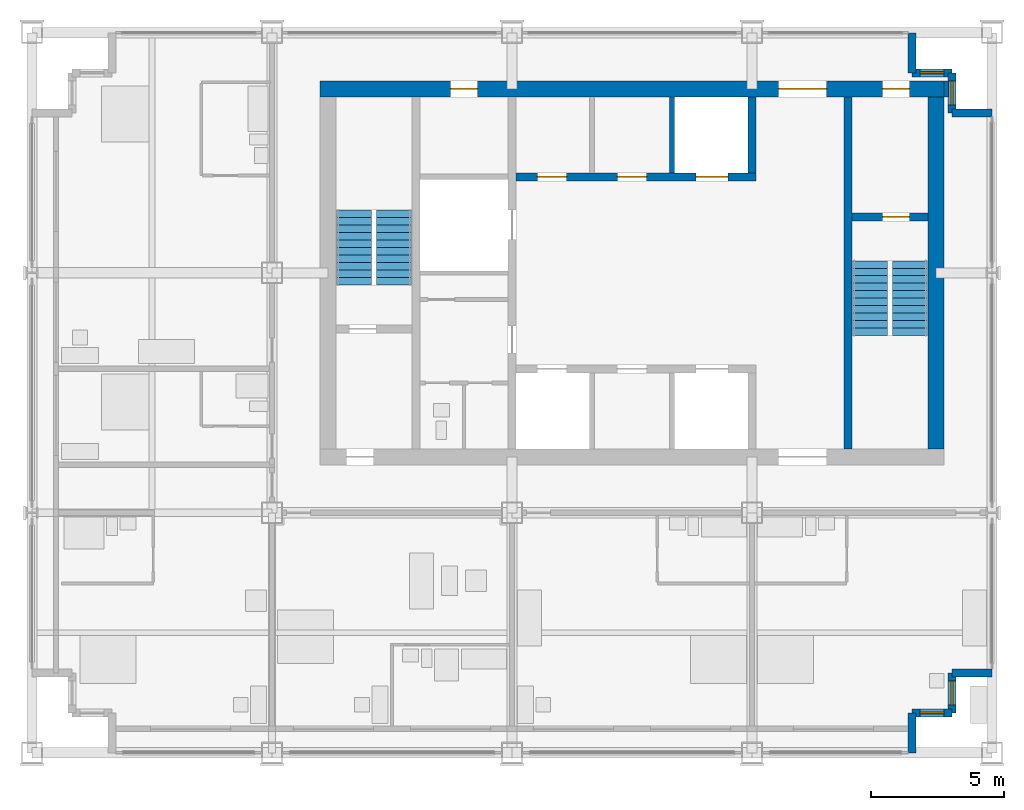
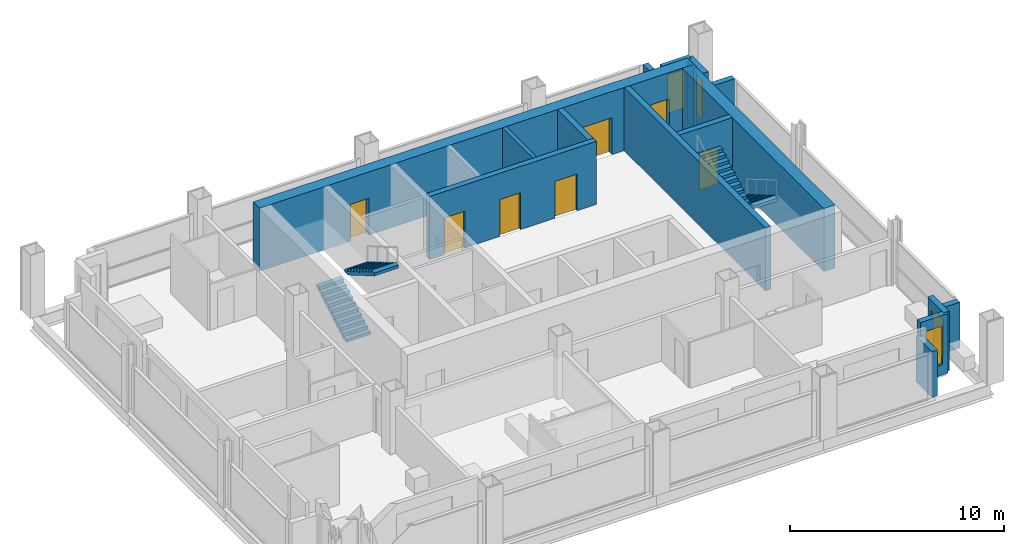
# One storey, part 8 of 11: 16 walls, 7 doors, 4 stair flights, 4 windows, 11 openings, 2 elements without a shape of their own.
"""IFC4 building model written with IfcOpenShell, lengths in metres."""

from ifc_helpers import new_model, si_unit, direction, frame, frame_2d, origin, place, context, subcontext, project, spatial, polyline, rectangle, outline, extrude, material, layer, layer_set, type_object, element, fill, aggregate, save


model = new_model("IFC4")

# Units and contexts
model_context = context("Model", 3, precision=1e-05, world=origin(), true_north=direction((0.0, 1.0)))
body_context = subcontext(model_context, "Body", "Model", "MODEL_VIEW")
ifc_project = project(units=[si_unit("LENGTHUNIT", "METRE"), si_unit("AREAUNIT", "SQUARE_METRE"), si_unit("VOLUMEUNIT", "CUBIC_METRE"), si_unit("PLANEANGLEUNIT", "RADIAN"), si_unit("MASSUNIT", "GRAM", prefix="KILO")], contexts=[model_context])

# Site, building, storey
site_placement = place(None, origin())
site = spatial("IfcSite", under=ifc_project, at=site_placement, CompositionType="ELEMENT")
building_placement = place(site_placement, origin())
building = spatial("IfcBuilding", under=site, at=building_placement, Name="Loomwork Tower", CompositionType="ELEMENT")
storey_placement = place(building_placement, frame((0.0, 0.0, 244.60009765625)))
storey = spatial("IfcBuildingStorey", under=building, at=storey_placement, Name="L67", CompositionType="ELEMENT", Elevation=244.60009765625)

# Wall, openings, doors
ifc_material_1 = material(Name="Concrete 14000 psi (97 MPa)", Category="concrete")
ifc_layer_1 = layer(ifc_material_1, 0.300048828125)
ifc_layer_set_1 = layer_set([ifc_layer_1], Name="Core shear wall 300")
wall_type_1 = type_object("IfcWallType", Name="Core shear wall 300", PredefinedType="SHEAR", material=ifc_layer_set_1)
wall_1_placement = place(storey_placement, frame((18.14990234375, 21.60009765625, 0.0), z_axis=(0.0, 0.0, 1.0), x_axis=(1.0, 0.0, 0.0)))
wall_1 = element("IfcWall", 1, at=wall_1_placement, inside=storey, type_object=wall_type_1, Name="Lift front wall north L67", PredefinedType="SHEAR", context=body_context, shape_type="SweptSolid", body=[
    extrude(rectangle(XDim=9.0, YDim=0.300048828125, at=frame_2d((4.5, 0.0))), origin(), (0.0, 0.0, 1.0), 3.599853515625),
])
opening_1_placement = place(wall_1_placement, frame((6.75, 0.0, 0.0)))
opening_1 = element("IfcOpeningElement", 2, at=opening_1_placement, cuts=wall_1, Name="Opening LD2", PredefinedType="OPENING", context=body_context, shape_type="SweptSolid", body=[
    extrude(rectangle(XDim=1.199951171875, YDim=2.10009765625, at=frame_2d((0.60009765625, 1.050048828125))), frame((0.0, 0.159912109375, 0.0), z_axis=(0.0, -1.0, 0.0), x_axis=(1.0, 0.0, 0.0)), (0.0, 0.0, 1.0), 0.320068359375),
])
opening_2_placement = place(wall_1_placement, frame((0.800048828125, 0.0, 0.0)))
opening_2 = element("IfcOpeningElement", 3, at=opening_2_placement, cuts=wall_1, Name="Opening D17", PredefinedType="OPENING", context=body_context, shape_type="SweptSolid", body=[
    extrude(rectangle(XDim=1.10009765625, YDim=2.10009765625, at=frame_2d((0.550048828125, 1.050048828125))), frame((0.0, 0.159912109375, 0.0), z_axis=(0.0, -1.0, 0.0), x_axis=(1.0, 0.0, 0.0)), (0.0, 0.0, 1.0), 0.320068359375),
])
opening_3_placement = place(wall_1_placement, frame((3.800048828125, 0.0, 0.0)))
opening_3 = element("IfcOpeningElement", 4, at=opening_3_placement, cuts=wall_1, Name="Opening D17", PredefinedType="OPENING", context=body_context, shape_type="SweptSolid", body=[
    extrude(rectangle(XDim=1.10009765625, YDim=2.10009765625, at=frame_2d((0.550048828125, 1.050048828125))), frame((0.0, 0.159912109375, 0.0), z_axis=(0.0, -1.0, 0.0), x_axis=(1.0, 0.0, 0.0)), (0.0, 0.0, 1.0), 0.320068359375),
])
ifc_material_2 = material(Name="Hollow metal door and frame")
door_type_1 = type_object("IfcDoorType", Name="Lift landing door 1200", OperationType="SLIDING_TO_LEFT", PredefinedType="DOOR", material=ifc_material_2)
door_1_placement = place(opening_1_placement, origin())
door_1 = element("IfcDoor", 5, at=door_1_placement, inside=storey, type_object=door_type_1, Name="Lift landing door LF2", OperationType="SLIDING_TO_LEFT", OverallHeight=2.10009765625, OverallWidth=1.199951171875, PredefinedType="DOOR", context=body_context, shape_type="SweptSolid", body=[
    extrude(rectangle(XDim=1.199951171875, YDim=2.10009765625, at=frame_2d((0.60009765625, 1.050048828125))), frame((0.0, 0.02490234375, 0.0), z_axis=(0.0, -1.0, 0.0), x_axis=(1.0, 0.0, 0.0)), (0.0, 0.0, 1.0), 0.050048828125),
])
fill(opening_1, door_1)
ifc_material_3 = material(Name="Hollow metal door and frame")
door_type_2 = type_object("IfcDoorType", Name="Service room door 1100", OperationType="SINGLE_SWING_LEFT", PredefinedType="DOOR", material=ifc_material_3)
door_2_placement = place(opening_2_placement, origin())
door_2 = element("IfcDoor", 6, at=door_2_placement, inside=storey, type_object=door_type_2, Name="IT and communications room door L67", OperationType="SINGLE_SWING_LEFT", OverallHeight=2.10009765625, OverallWidth=1.10009765625, PredefinedType="DOOR", context=body_context, shape_type="SweptSolid", body=[
    extrude(rectangle(XDim=1.10009765625, YDim=2.10009765625, at=frame_2d((0.550048828125, 1.050048828125))), frame((0.0, 0.02490234375, 0.0), z_axis=(0.0, -1.0, 0.0), x_axis=(1.0, 0.0, 0.0)), (0.0, 0.0, 1.0), 0.050048828125),
])
fill(opening_2, door_2)
door_3_placement = place(opening_3_placement, origin())
door_3 = element("IfcDoor", 7, at=door_3_placement, inside=storey, type_object=door_type_2, Name="Housekeeping store door L67", OperationType="SINGLE_SWING_LEFT", OverallHeight=2.10009765625, OverallWidth=1.10009765625, PredefinedType="DOOR", context=body_context, shape_type="SweptSolid", body=[
    extrude(rectangle(XDim=1.10009765625, YDim=2.10009765625, at=frame_2d((0.550048828125, 1.050048828125))), frame((0.0, 0.02490234375, 0.0), z_axis=(0.0, -1.0, 0.0), x_axis=(1.0, 0.0, 0.0)), (0.0, 0.0, 1.0), 0.050048828125),
])
fill(opening_3, door_3)

# Walls
wall_2_placement = place(storey_placement, frame((27.0, 21.75, 0.0), z_axis=(0.0, 0.0, 1.0), x_axis=(0.0, 1.0, 0.0)))
element("IfcWall", 8, at=wall_2_placement, inside=storey, type_object=wall_type_1, Name="Lift shaft end wall north L67", PredefinedType="SHEAR", context=body_context, shape_type="SweptSolid", body=[
    extrude(rectangle(XDim=2.85009765625, YDim=0.300048828125, at=frame_2d((1.425048828125, 0.0))), origin(), (0.0, 0.0, 1.0), 3.599853515625),
])
wall_3_placement = place(storey_placement, frame((30.60009765625, 11.39990234375, 0.0), z_axis=(0.0, 0.0, 1.0), x_axis=(0.0, 1.0, 0.0)))
element("IfcWall", 9, at=wall_3_placement, inside=storey, type_object=wall_type_1, Name="Stair B west wall L67", PredefinedType="SHEAR", context=body_context, shape_type="SweptSolid", body=[
    extrude(rectangle(XDim=13.2001953125, YDim=0.300048828125, at=frame_2d((6.60009765625, 0.0))), origin(), (0.0, 0.0, 1.0), 3.599853515625),
])

# Wall, opening, door
wall_4_placement = place(storey_placement, frame((30.75, 20.10009765625, 0.0), z_axis=(0.0, 0.0, 1.0), x_axis=(1.0, 0.0, 0.0)))
wall_4 = element("IfcWall", 10, at=wall_4_placement, inside=storey, type_object=wall_type_1, Name="Stair B north wall L67", PredefinedType="SHEAR", context=body_context, shape_type="SweptSolid", body=[
    extrude(rectangle(XDim=2.85009765625, YDim=0.300048828125, at=frame_2d((1.425048828125, 0.0))), origin(), (0.0, 0.0, 1.0), 3.599853515625),
])
opening_4_placement = place(wall_4_placement, frame((1.14990234375, 0.0, 0.0)))
opening_4 = element("IfcOpeningElement", 11, at=opening_4_placement, cuts=wall_4, Name="Opening D4", PredefinedType="OPENING", context=body_context, shape_type="SweptSolid", body=[
    extrude(rectangle(XDim=1.0, YDim=2.10009765625, at=frame_2d((0.5, 1.050048828125))), frame((0.0, 0.159912109375, 0.0), z_axis=(0.0, -1.0, 0.0), x_axis=(1.0, 0.0, 0.0)), (0.0, 0.0, 1.0), 0.320068359375),
])
ifc_material_4 = material(Name="Hollow metal door and frame")
door_type_3 = type_object("IfcDoorType", Name="Stair door 1000", OperationType="SINGLE_SWING_RIGHT", PredefinedType="DOOR", material=ifc_material_4)
door_4_placement = place(opening_4_placement, frame((1.0, 0.0, 0.0), z_axis=(0.0, 0.0, 1.0), x_axis=(-1.0, 0.0, 0.0)))
door_4 = element("IfcDoor", 12, at=door_4_placement, inside=storey, type_object=door_type_3, Name="Stair B door", OperationType="SINGLE_SWING_LEFT", OverallHeight=2.10009765625, OverallWidth=1.0, PredefinedType="DOOR", context=body_context, shape_type="SweptSolid", body=[
    extrude(rectangle(XDim=1.0, YDim=2.10009765625, at=frame_2d((0.5, 1.050048828125))), frame((0.0, 0.02490234375, 0.0), z_axis=(0.0, -1.0, 0.0), x_axis=(1.0, 0.0, 0.0)), (0.0, 0.0, 1.0), 0.050048828125),
])
fill(opening_4, door_4)

# Wall, openings, doors
ifc_material_5 = material(Name="Concrete 14000 psi (97 MPa)", Category="concrete")
ifc_layer_2 = layer(ifc_material_5, 0.60009765625)
ifc_layer_set_2 = layer_set([ifc_layer_2], Name="Core shear wall 600")
wall_type_2 = type_object("IfcWallType", Name="Core shear wall 600", PredefinedType="SHEAR", material=ifc_layer_set_2)
wall_5_placement = place(storey_placement, frame((10.800048828125, 24.89990234375, 0.0), z_axis=(0.0, 0.0, 1.0), x_axis=(1.0, 0.0, 0.0)))
wall_5 = element("IfcWall", 13, at=wall_5_placement, inside=storey, type_object=wall_type_2, Name="Core wall north L67", PredefinedType="SHEAR", context=body_context, shape_type="SweptSolid", body=[
    extrude(rectangle(XDim=23.39990234375, YDim=0.60009765625, at=frame_2d((11.699951171875, 0.0))), origin(), (0.0, 0.0, 1.0), 3.599853515625),
])
opening_5_placement = place(wall_5_placement, frame((17.199951171875, 0.0, 0.0)))
opening_5 = element("IfcOpeningElement", 14, at=opening_5_placement, cuts=wall_5, Name="Opening D6", PredefinedType="OPENING", context=body_context, shape_type="SweptSolid", body=[
    extrude(rectangle(XDim=1.800048828125, YDim=2.10009765625, at=frame_2d((0.89990234375, 1.050048828125))), frame((0.0, 0.31005859375, 0.0), z_axis=(0.0, -1.0, 0.0), x_axis=(1.0, 0.0, 0.0)), (0.0, 0.0, 1.0), 0.6201171875),
])
opening_6_placement = place(wall_5_placement, frame((21.10009765625, 0.0, 0.0)))
opening_6 = element("IfcOpeningElement", 15, at=opening_6_placement, cuts=wall_5, Name="Opening D4", PredefinedType="OPENING", context=body_context, shape_type="SweptSolid", body=[
    extrude(rectangle(XDim=1.0, YDim=2.10009765625, at=frame_2d((0.5, 1.050048828125))), frame((0.0, 0.31005859375, 0.0), z_axis=(0.0, -1.0, 0.0), x_axis=(1.0, 0.0, 0.0)), (0.0, 0.0, 1.0), 0.6201171875),
])
opening_7_placement = place(wall_5_placement, frame((4.89990234375, 0.0, 0.0)))
opening_7 = element("IfcOpeningElement", 16, at=opening_7_placement, cuts=wall_5, Name="Opening D5", PredefinedType="OPENING", context=body_context, shape_type="SweptSolid", body=[
    extrude(rectangle(XDim=1.0, YDim=2.10009765625, at=frame_2d((0.5, 1.050048828125))), frame((0.0, 0.31005859375, 0.0), z_axis=(0.0, -1.0, 0.0), x_axis=(1.0, 0.0, 0.0)), (0.0, 0.0, 1.0), 0.6201171875),
])
ifc_material_6 = material(Name="Hollow metal door and frame")
door_type_4 = type_object("IfcDoorType", Name="Lobby passage double door 1800", OperationType="DOUBLE_DOOR_SINGLE_SWING", PredefinedType="DOOR", material=ifc_material_6)
door_5_placement = place(opening_5_placement, frame((1.800048828125, 0.0, 0.0), z_axis=(0.0, 0.0, 1.0), x_axis=(-1.0, 0.0, 0.0)))
door_5 = element("IfcDoor", 17, at=door_5_placement, inside=storey, type_object=door_type_4, Name="Lobby passage door north", OperationType="DOUBLE_DOOR_SINGLE_SWING", OverallHeight=2.10009765625, OverallWidth=1.800048828125, PredefinedType="DOOR", context=body_context, shape_type="SweptSolid", body=[
    extrude(rectangle(XDim=1.800048828125, YDim=2.10009765625, at=frame_2d((0.89990234375, 1.050048828125))), frame((0.0, 0.02490234375, 0.0), z_axis=(0.0, -1.0, 0.0), x_axis=(1.0, 0.0, 0.0)), (0.0, 0.0, 1.0), 0.050048828125),
])
fill(opening_5, door_5)
ifc_material_7 = material(Name="Hollow metal door and frame")
door_type_5 = type_object("IfcDoorType", Name="Service door 1000", OperationType="SINGLE_SWING_LEFT", PredefinedType="DOOR", material=ifc_material_7)
door_6_placement = place(opening_7_placement, frame((1.0, 0.0, 0.0), z_axis=(0.0, 0.0, 1.0), x_axis=(-1.0, 0.0, 0.0)))
door_6 = element("IfcDoor", 18, at=door_6_placement, inside=storey, type_object=door_type_5, Name="Back-of-house door north", OperationType="SINGLE_SWING_LEFT", OverallHeight=2.10009765625, OverallWidth=1.0, PredefinedType="DOOR", context=body_context, shape_type="SweptSolid", body=[
    extrude(rectangle(XDim=1.0, YDim=2.10009765625, at=frame_2d((0.5, 1.050048828125))), frame((0.0, 0.02490234375, 0.0), z_axis=(0.0, -1.0, 0.0), x_axis=(1.0, 0.0, 0.0)), (0.0, 0.0, 1.0), 0.050048828125),
])
fill(opening_7, door_6)
door_7_placement = place(opening_6_placement, frame((1.0, 0.0, 0.0), z_axis=(0.0, 0.0, 1.0), x_axis=(-1.0, 0.0, 0.0)))
door_7 = element("IfcDoor", 19, at=door_7_placement, inside=storey, type_object=door_type_3, Name="Stair B vestibule door", OperationType="SINGLE_SWING_LEFT", OverallHeight=2.10009765625, OverallWidth=1.0, PredefinedType="DOOR", context=body_context, shape_type="SweptSolid", body=[
    extrude(rectangle(XDim=1.0, YDim=2.10009765625, at=frame_2d((0.5, 1.050048828125))), frame((0.0, 0.02490234375, 0.0), z_axis=(0.0, -1.0, 0.0), x_axis=(1.0, 0.0, 0.0)), (0.0, 0.0, 1.0), 0.050048828125),
])
fill(opening_6, door_7)

# Walls
wall_6_placement = place(storey_placement, frame((33.89990234375, 11.39990234375, 0.0), z_axis=(0.0, 0.0, 1.0), x_axis=(0.0, 1.0, 0.0)))
element("IfcWall", 20, at=wall_6_placement, inside=storey, type_object=wall_type_2, Name="Core wall east L67", PredefinedType="SHEAR", context=body_context, shape_type="SweptSolid", body=[
    extrude(rectangle(XDim=13.2001953125, YDim=0.60009765625, at=frame_2d((6.60009765625, 0.0))), origin(), (0.0, 0.0, 1.0), 3.599853515625),
])
ifc_material_8 = material(Name="Concrete 14000 psi (97 MPa)", Category="concrete")
ifc_layer_3 = layer(ifc_material_8, 0.199951171875)
ifc_layer_set_3 = layer_set([ifc_layer_3], Name="Lift shaft wall 200")
wall_type_3 = type_object("IfcWallType", Name="Lift shaft wall 200", PredefinedType="SHEAR", material=ifc_layer_set_3)
wall_7_placement = place(storey_placement, frame((24.0, 21.75, 0.0), z_axis=(0.0, 0.0, 1.0), x_axis=(0.0, 1.0, 0.0)))
element("IfcWall", 21, at=wall_7_placement, inside=storey, type_object=wall_type_3, Name="Lift shaft separation wall north 2 L67", PredefinedType="SHEAR", context=body_context, shape_type="SweptSolid", body=[
    extrude(rectangle(XDim=2.85009765625, YDim=0.199951171875, at=frame_2d((1.425048828125, 0.0))), origin(), (0.0, 0.0, 1.0), 3.599853515625),
])
ifc_material_9 = material(Name="Limestone on concrete masonry", Category="masonry")
ifc_layer_4 = layer(ifc_material_9, 0.300048828125)
ifc_layer_set_4 = layer_set([ifc_layer_4], Name="Limestone corner wall 300")
wall_type_4 = type_object("IfcWallType", Name="Limestone corner wall 300", PredefinedType="SOLIDWALL", material=ifc_layer_set_4)
wall_8_placement = place(storey_placement, frame((33.0, 0.0, 0.0), z_axis=(0.0, 0.0, 1.0), x_axis=(0.0, 1.0, 0.0)))
element("IfcWall", 22, at=wall_8_placement, inside=storey, type_object=wall_type_4, Name="Stone corner wall SE 1", PredefinedType="SOLIDWALL", context=body_context, shape_type="SweptSolid", body=[
    extrude(rectangle(XDim=1.5, YDim=0.300048828125, at=frame_2d((0.75, 0.0))), origin(), (0.0, 0.0, 1.0), 2.619873046875),
])

# Wall, opening, window
wall_9_placement = place(storey_placement, frame((33.0, 1.5, 0.0), z_axis=(0.0, 0.0, 1.0), x_axis=(1.0, 0.0, 0.0)))
wall_9 = element("IfcWall", 23, at=wall_9_placement, inside=storey, type_object=wall_type_4, Name="Stone corner wall SE 2", PredefinedType="SOLIDWALL", context=body_context, shape_type="SweptSolid", body=[
    extrude(rectangle(XDim=1.5, YDim=0.300048828125, at=frame_2d((0.75, 0.0))), origin(), (0.0, 0.0, 1.0), 3.39990234375),
])
opening_8_placement = place(wall_9_placement, frame((0.300048828125, 0.0, 0.60009765625)))
opening_8 = element("IfcOpeningElement", 24, at=opening_8_placement, cuts=wall_9, Name="Opening CH2", PredefinedType="OPENING", context=body_context, shape_type="SweptSolid", body=[
    extrude(rectangle(XDim=0.89990234375, YDim=2.199951171875, at=frame_2d((0.449951171875, 1.10009765625))), frame((0.0, 0.159912109375, 0.0), z_axis=(0.0, -1.0, 0.0), x_axis=(1.0, 0.0, 0.0)), (0.0, 0.0, 1.0), 0.320068359375),
])
ifc_material_10 = material(Name="Aluminium frame with clear insulated glass", Category="aluminium")
window_type = type_object("IfcWindowType", Name="Corner window 900", PartitioningType="SINGLE_PANEL", PredefinedType="WINDOW", material=ifc_material_10)
window_1_placement = place(opening_8_placement, origin())
window_1 = element("IfcWindow", 25, at=window_1_placement, inside=storey, type_object=window_type, Name="Corner window SE", OverallHeight=2.199951171875, OverallWidth=0.89990234375, PartitioningType="SINGLE_PANEL", PredefinedType="WINDOW", context=body_context, shape_type="SweptSolid", body=[
    extrude(rectangle(XDim=0.89990234375, YDim=2.199951171875, at=frame_2d((0.449951171875, 1.10009765625))), frame((0.0, 0.030029296875, 0.0), z_axis=(0.0, -1.0, 0.0), x_axis=(1.0, 0.0, 0.0)), (0.0, 0.0, 1.0), 0.06005859375),
])
fill(opening_8, window_1)

wall_10_placement = place(storey_placement, frame((34.5, 1.5, 0.0), z_axis=(0.0, 0.0, 1.0), x_axis=(0.0, 1.0, 0.0)))
wall_10 = element("IfcWall", 26, at=wall_10_placement, inside=storey, type_object=wall_type_4, Name="Stone corner wall SE 3", PredefinedType="SOLIDWALL", context=body_context, shape_type="SweptSolid", body=[
    extrude(rectangle(XDim=1.5, YDim=0.300048828125, at=frame_2d((0.75, 0.0))), origin(), (0.0, 0.0, 1.0), 3.39990234375),
])
opening_9_placement = place(wall_10_placement, frame((0.300048828125, 0.0, 0.60009765625)))
opening_9 = element("IfcOpeningElement", 27, at=opening_9_placement, cuts=wall_10, Name="Opening CH2", PredefinedType="OPENING", context=body_context, shape_type="SweptSolid", body=[
    extrude(rectangle(XDim=0.89990234375, YDim=2.199951171875, at=frame_2d((0.449951171875, 1.10009765625))), frame((0.0, 0.159912109375, 0.0), z_axis=(0.0, -1.0, 0.0), x_axis=(1.0, 0.0, 0.0)), (0.0, 0.0, 1.0), 0.320068359375),
])
window_2_placement = place(opening_9_placement, origin())
window_2 = element("IfcWindow", 28, at=window_2_placement, inside=storey, type_object=window_type, Name="Corner window SE", OverallHeight=2.199951171875, OverallWidth=0.89990234375, PartitioningType="SINGLE_PANEL", PredefinedType="WINDOW", context=body_context, shape_type="SweptSolid", body=[
    extrude(rectangle(XDim=0.89990234375, YDim=2.199951171875, at=frame_2d((0.449951171875, 1.10009765625))), frame((0.0, 0.030029296875, 0.0), z_axis=(0.0, -1.0, 0.0), x_axis=(1.0, 0.0, 0.0)), (0.0, 0.0, 1.0), 0.06005859375),
])
fill(opening_9, window_2)

# Walls
for number, where, z_axis, x_axis, name in (
    (29, (34.5, 3.0, 0.0), (0.0, 0.0, 1.0), (1.0, 0.0, 0.0), "Stone corner wall SE 4"),
    (30, (36.0, 24.0, 0.0), (0.0, 0.0, 1.0), (-1.0, 0.0, 0.0), "Stone corner wall NE 1"),
):
    element("IfcWall", number, at=place(storey_placement, frame(where, z_axis=z_axis, x_axis=x_axis)), inside=storey, type_object=wall_type_4, Name=name, PredefinedType="SOLIDWALL", context=body_context, shape_type="SweptSolid", body=[
        extrude(rectangle(XDim=1.5, YDim=0.300048828125, at=frame_2d((0.75, 0.0))), origin(), (0.0, 0.0, 1.0), 2.619873046875),
    ])

# Wall, opening, window
wall_11_placement = place(storey_placement, frame((34.5, 24.0, 0.0), z_axis=(0.0, 0.0, 1.0), x_axis=(0.0, 1.0, 0.0)))
wall_11 = element("IfcWall", 31, at=wall_11_placement, inside=storey, type_object=wall_type_4, Name="Stone corner wall NE 2", PredefinedType="SOLIDWALL", context=body_context, shape_type="SweptSolid", body=[
    extrude(rectangle(XDim=1.5, YDim=0.300048828125, at=frame_2d((0.75, 0.0))), origin(), (0.0, 0.0, 1.0), 3.39990234375),
])
opening_10_placement = place(wall_11_placement, frame((0.300048828125, 0.0, 0.60009765625)))
opening_10 = element("IfcOpeningElement", 32, at=opening_10_placement, cuts=wall_11, Name="Opening CH2", PredefinedType="OPENING", context=body_context, shape_type="SweptSolid", body=[
    extrude(rectangle(XDim=0.89990234375, YDim=2.199951171875, at=frame_2d((0.449951171875, 1.10009765625))), frame((0.0, 0.159912109375, 0.0), z_axis=(0.0, -1.0, 0.0), x_axis=(1.0, 0.0, 0.0)), (0.0, 0.0, 1.0), 0.320068359375),
])
window_3_placement = place(opening_10_placement, origin())
window_3 = element("IfcWindow", 33, at=window_3_placement, inside=storey, type_object=window_type, Name="Corner window NE", OverallHeight=2.199951171875, OverallWidth=0.89990234375, PartitioningType="SINGLE_PANEL", PredefinedType="WINDOW", context=body_context, shape_type="SweptSolid", body=[
    extrude(rectangle(XDim=0.89990234375, YDim=2.199951171875, at=frame_2d((0.449951171875, 1.10009765625))), frame((0.0, 0.030029296875, 0.0), z_axis=(0.0, -1.0, 0.0), x_axis=(1.0, 0.0, 0.0)), (0.0, 0.0, 1.0), 0.06005859375),
])
fill(opening_10, window_3)

wall_12_placement = place(storey_placement, frame((34.5, 25.5, 0.0), z_axis=(0.0, 0.0, 1.0), x_axis=(-1.0, 0.0, 0.0)))
wall_12 = element("IfcWall", 34, at=wall_12_placement, inside=storey, type_object=wall_type_4, Name="Stone corner wall NE 3", PredefinedType="SOLIDWALL", context=body_context, shape_type="SweptSolid", body=[
    extrude(rectangle(XDim=1.5, YDim=0.300048828125, at=frame_2d((0.75, 0.0))), origin(), (0.0, 0.0, 1.0), 3.39990234375),
])
opening_11_placement = place(wall_12_placement, frame((0.300048828125, 0.0, 0.60009765625)))
opening_11 = element("IfcOpeningElement", 35, at=opening_11_placement, cuts=wall_12, Name="Opening CH2", PredefinedType="OPENING", context=body_context, shape_type="SweptSolid", body=[
    extrude(rectangle(XDim=0.89990234375, YDim=2.199951171875, at=frame_2d((0.449951171875, 1.10009765625))), frame((0.0, 0.159912109375, 0.0), z_axis=(0.0, -1.0, 0.0), x_axis=(1.0, 0.0, 0.0)), (0.0, 0.0, 1.0), 0.320068359375),
])
window_4_placement = place(opening_11_placement, origin())
window_4 = element("IfcWindow", 36, at=window_4_placement, inside=storey, type_object=window_type, Name="Corner window NE", OverallHeight=2.199951171875, OverallWidth=0.89990234375, PartitioningType="SINGLE_PANEL", PredefinedType="WINDOW", context=body_context, shape_type="SweptSolid", body=[
    extrude(rectangle(XDim=0.89990234375, YDim=2.199951171875, at=frame_2d((0.449951171875, 1.10009765625))), frame((0.0, 0.030029296875, 0.0), z_axis=(0.0, -1.0, 0.0), x_axis=(1.0, 0.0, 0.0)), (0.0, 0.0, 1.0), 0.06005859375),
])
fill(opening_11, window_4)

# Walls
wall_13_placement = place(storey_placement, frame((33.0, 25.5, 0.0), z_axis=(0.0, 0.0, 1.0), x_axis=(0.0, 1.0, 0.0)))
element("IfcWall", 37, at=wall_13_placement, inside=storey, type_object=wall_type_4, Name="Stone corner wall NE 4", PredefinedType="SOLIDWALL", context=body_context, shape_type="SweptSolid", body=[
    extrude(rectangle(XDim=1.5, YDim=0.300048828125, at=frame_2d((0.75, 0.0))), origin(), (0.0, 0.0, 1.0), 2.619873046875),
])
ifc_material_11 = material(Name="Gypsum board on steel studs, one-hour", Category="steel")
ifc_layer_5 = layer(ifc_material_11, 0.14990234375)
ifc_layer_set_5 = layer_set([ifc_layer_5], Name="Service partition 150")
wall_type_5 = type_object("IfcWallType", Name="Service partition 150", PredefinedType="PARTITIONING", material=ifc_layer_set_5)
wall_14_placement = place(storey_placement, frame((34.199951171875, 24.89990234375, 0.0), z_axis=(0.0, 0.0, 1.0), x_axis=(1.0, 0.0, 0.0)))
element("IfcWall", 38, at=wall_14_placement, inside=storey, type_object=wall_type_5, Name="Core wall infill L67", PredefinedType="PARTITIONING", context=body_context, shape_type="SweptSolid", body=[
    extrude(rectangle(XDim=0.16015625, YDim=0.60009765625, at=frame_2d((0.080078125, 0.0))), origin(), (0.0, 0.0, 1.0), 3.39990234375),
])

# Stair, stair flights
ifc_material_12 = material(Name="Concrete 5000 psi (34 MPa) precast stair", Category="concrete")
stair_type_1 = type_object("IfcStairType", Name="Stair ST-A 22 risers 2850 wide", PredefinedType="HALF_TURN_STAIR", material=ifc_material_12)
stair_1_placement = place(storey_placement, origin())
stair_1 = element("IfcStair", 39, at=stair_1_placement, inside=storey, type_object=stair_type_1, Name="Stair A L67", PredefinedType="HALF_TURN_STAIR")
ifc_material_13 = material(Name="Concrete 5000 psi (34 MPa) precast stair", Category="concrete")
stair_flight_type_1 = type_object("IfcStairFlightType", Name="Stair flight ST-A 11 risers 1300 wide", PredefinedType="STRAIGHT", material=ifc_material_13)
stair_flight_1_placement = place(storey_placement, frame((12.074951171875, 17.550048828125, 0.0), z_axis=(0.0, 0.0, 1.0), x_axis=(0.0, 1.0, 0.0)))
stair_flight_1 = element("IfcStairFlight", 40, at=stair_flight_1_placement, type_object=stair_flight_type_1, Name="ST-A flight 1", NumberOfRisers=11, NumberOfTreads=10, PredefinedType="STRAIGHT", RiserHeight=0.163636364, TreadLength=0.28, context=body_context, shape_type="SweptSolid", body=[
    extrude(outline(polyline([(0.0, 0.0), (0.0, 0.16357421875), (0.280029296875, 0.16357421875), (0.280029296875, 0.327392578125), (0.56005859375, 0.327392578125), (0.56005859375, 0.490966796875), (0.840087890625, 0.490966796875), (0.840087890625, 0.654541015625), (1.1201171875, 0.654541015625), (1.1201171875, 0.818115234375), (1.39990234375, 0.818115234375), (1.39990234375, 0.98193359375), (1.679931640625, 0.98193359375), (1.679931640625, 1.1455078125), (1.9599609375, 1.1455078125), (1.9599609375, 1.30908203125), (2.239990234375, 1.30908203125), (2.239990234375, 1.47265625), (2.52001953125, 1.47265625), (2.52001953125, 1.636474609375), (2.800048828125, 1.636474609375), (2.800048828125, 1.800048828125), (2.800048828125, 1.462646484375), (0.297119140625, 0.0), (0.0, 0.0)])), frame((0.0, 0.64990234375, 0.0), z_axis=(0.0, -1.0, 0.0), x_axis=(1.0, 0.0, 0.0)), (0.0, 0.0, 1.0), 1.300048828125),
])
stair_flight_2_placement = place(storey_placement, frame((13.574951171875, 20.35009765625, 1.7998046875), z_axis=(0.0, 0.0, 1.0), x_axis=(0.0, -1.0, 0.0)))
stair_flight_2 = element("IfcStairFlight", 41, at=stair_flight_2_placement, type_object=stair_flight_type_1, Name="ST-A flight 2", NumberOfRisers=11, NumberOfTreads=10, PredefinedType="STRAIGHT", RiserHeight=0.163636364, TreadLength=0.28, context=body_context, shape_type="SweptSolid", body=[
    extrude(outline(polyline([(0.0, 0.0), (0.0, 0.16357421875), (0.280029296875, 0.16357421875), (0.280029296875, 0.327392578125), (0.56005859375, 0.327392578125), (0.56005859375, 0.490966796875), (0.840087890625, 0.490966796875), (0.840087890625, 0.654541015625), (1.1201171875, 0.654541015625), (1.1201171875, 0.818115234375), (1.39990234375, 0.818115234375), (1.39990234375, 0.98193359375), (1.679931640625, 0.98193359375), (1.679931640625, 1.1455078125), (1.9599609375, 1.1455078125), (1.9599609375, 1.30908203125), (2.239990234375, 1.30908203125), (2.239990234375, 1.47265625), (2.52001953125, 1.47265625), (2.52001953125, 1.636474609375), (2.800048828125, 1.636474609375), (2.800048828125, 1.800048828125), (2.800048828125, 1.462646484375), (0.297119140625, 0.0), (0.0, 0.0)])), frame((0.0, 0.64990234375, 0.0), z_axis=(0.0, -1.0, 0.0), x_axis=(1.0, 0.0, 0.0)), (0.0, 0.0, 1.0), 1.300048828125),
])
aggregate(stair_1, [stair_flight_1, stair_flight_2])

ifc_material_14 = material(Name="Concrete 5000 psi (34 MPa) precast stair", Category="concrete")
stair_type_2 = type_object("IfcStairType", Name="Stair ST-B 22 risers 2850 wide", PredefinedType="HALF_TURN_STAIR", material=ifc_material_14)
stair_2_placement = place(storey_placement, origin())
stair_2 = element("IfcStair", 42, at=stair_2_placement, inside=storey, type_object=stair_type_2, Name="Stair B L67", PredefinedType="HALF_TURN_STAIR")
ifc_material_15 = material(Name="Concrete 5000 psi (34 MPa) precast stair", Category="concrete")
stair_flight_type_2 = type_object("IfcStairFlightType", Name="Stair flight ST-B 11 risers 1300 wide", PredefinedType="STRAIGHT", material=ifc_material_15)
stair_flight_3_placement = place(storey_placement, frame((32.925048828125, 18.449951171875, 0.0), z_axis=(0.0, 0.0, 1.0), x_axis=(0.0, -1.0, 0.0)))
stair_flight_3 = element("IfcStairFlight", 43, at=stair_flight_3_placement, type_object=stair_flight_type_2, Name="ST-B flight 1", NumberOfRisers=11, NumberOfTreads=10, PredefinedType="STRAIGHT", RiserHeight=0.163636364, TreadLength=0.28, context=body_context, shape_type="SweptSolid", body=[
    extrude(outline(polyline([(0.0, 0.0), (0.0, 0.16357421875), (0.280029296875, 0.16357421875), (0.280029296875, 0.327392578125), (0.56005859375, 0.327392578125), (0.56005859375, 0.490966796875), (0.840087890625, 0.490966796875), (0.840087890625, 0.654541015625), (1.1201171875, 0.654541015625), (1.1201171875, 0.818115234375), (1.39990234375, 0.818115234375), (1.39990234375, 0.98193359375), (1.679931640625, 0.98193359375), (1.679931640625, 1.1455078125), (1.9599609375, 1.1455078125), (1.9599609375, 1.30908203125), (2.239990234375, 1.30908203125), (2.239990234375, 1.47265625), (2.52001953125, 1.47265625), (2.52001953125, 1.636474609375), (2.800048828125, 1.636474609375), (2.800048828125, 1.800048828125), (2.800048828125, 1.462646484375), (0.297119140625, 0.0), (0.0, 0.0)])), frame((0.0, 0.64990234375, 0.0), z_axis=(0.0, -1.0, 0.0), x_axis=(1.0, 0.0, 0.0)), (0.0, 0.0, 1.0), 1.300048828125),
])
stair_flight_4_placement = place(storey_placement, frame((31.425048828125, 15.64990234375, 1.7998046875), z_axis=(0.0, 0.0, 1.0), x_axis=(0.0, 1.0, 0.0)))
stair_flight_4 = element("IfcStairFlight", 44, at=stair_flight_4_placement, type_object=stair_flight_type_2, Name="ST-B flight 2", NumberOfRisers=11, NumberOfTreads=10, PredefinedType="STRAIGHT", RiserHeight=0.163636364, TreadLength=0.28, context=body_context, shape_type="SweptSolid", body=[
    extrude(outline(polyline([(0.0, 0.0), (0.0, 0.16357421875), (0.280029296875, 0.16357421875), (0.280029296875, 0.327392578125), (0.56005859375, 0.327392578125), (0.56005859375, 0.490966796875), (0.840087890625, 0.490966796875), (0.840087890625, 0.654541015625), (1.1201171875, 0.654541015625), (1.1201171875, 0.818115234375), (1.39990234375, 0.818115234375), (1.39990234375, 0.98193359375), (1.679931640625, 0.98193359375), (1.679931640625, 1.1455078125), (1.9599609375, 1.1455078125), (1.9599609375, 1.30908203125), (2.239990234375, 1.30908203125), (2.239990234375, 1.47265625), (2.52001953125, 1.47265625), (2.52001953125, 1.636474609375), (2.800048828125, 1.636474609375), (2.800048828125, 1.800048828125), (2.800048828125, 1.462646484375), (0.297119140625, 0.0), (0.0, 0.0)])), frame((0.0, 0.64990234375, 0.0), z_axis=(0.0, -1.0, 0.0), x_axis=(1.0, 0.0, 0.0)), (0.0, 0.0, 1.0), 1.300048828125),
])
aggregate(stair_2, [stair_flight_3, stair_flight_4])

save(model, "model.ifc")
